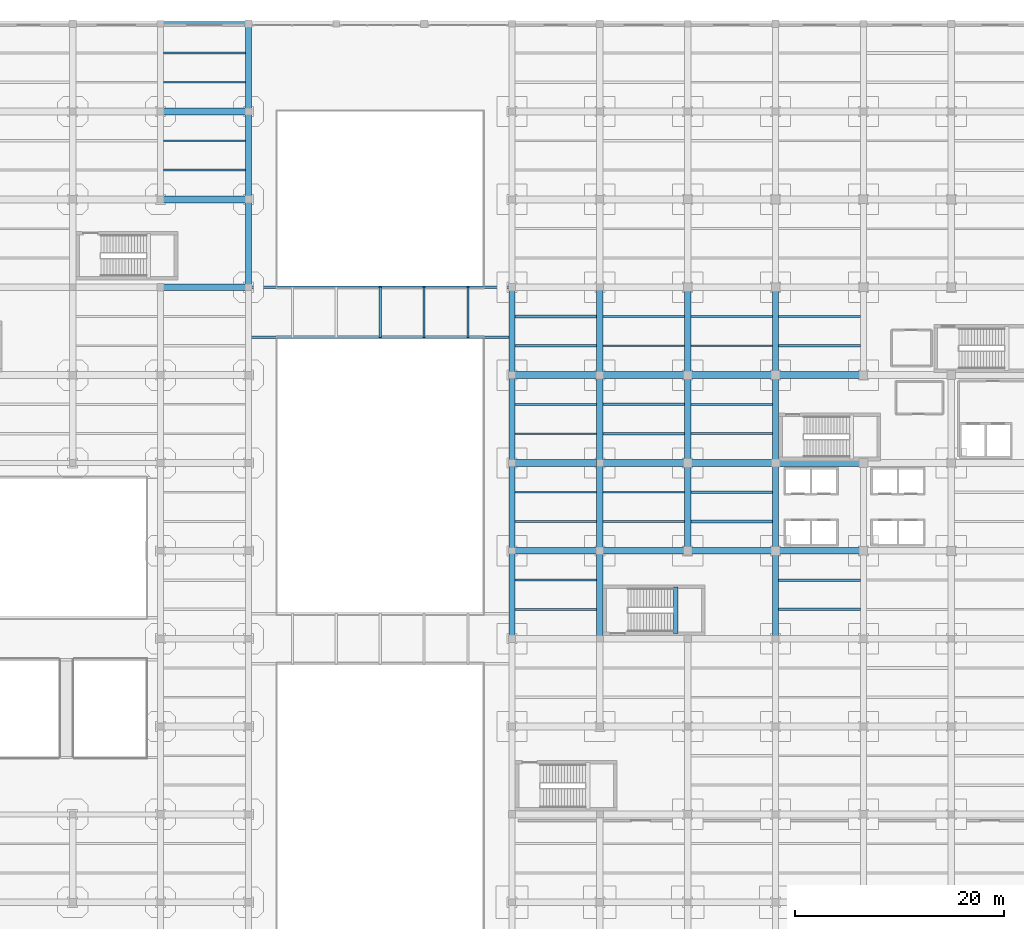
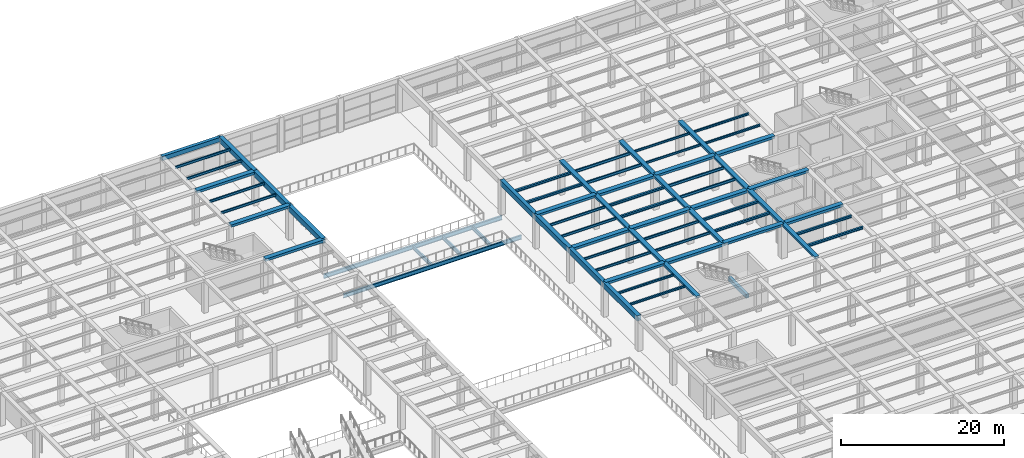
# One storey, part 25 of 65: 68 beams.
"""IFC4 building model written with IfcOpenShell, lengths in metres."""

from ifc_helpers import new_model, si_unit, direction, frame, origin, origin_2d, place, context, subcontext, project, spatial, rectangle, i_section, extrude, material, material_profile, profile_set, type_object, element, save


model = new_model("IFC4")

# Units and contexts
model_context = context("Model", 3, precision=1e-05, world=origin(), true_north=direction((0.0, 1.0)))
body_context = subcontext(model_context, "Body", "Model", "MODEL_VIEW")
ifc_project = project(units=[si_unit("LENGTHUNIT", "METRE"), si_unit("AREAUNIT", "SQUARE_METRE"), si_unit("VOLUMEUNIT", "CUBIC_METRE"), si_unit("PLANEANGLEUNIT", "RADIAN"), si_unit("MASSUNIT", "GRAM", prefix="KILO")], contexts=[model_context])

# Site, building, storey
site_placement = place(None, origin())
site = spatial("IfcSite", under=ifc_project, at=site_placement, CompositionType="ELEMENT")
building_placement = place(site_placement, origin())
building = spatial("IfcBuilding", under=site, at=building_placement, Name="Almacenes y Pasaje Nevantli", CompositionType="ELEMENT")
storey_placement = place(building_placement, frame((0.0, 0.0, 16.800048828125)))
storey = spatial("IfcBuildingStorey", under=building, at=storey_placement, Name="L04", CompositionType="ELEMENT", Elevation=16.800048828125)

# Beams
ifc_material_1 = material(Name="Concrete C35/45", Category="concrete")
ifc_material_profile_1 = material_profile(ifc_material_1, rectangle(XDim=0.39990234375, YDim=0.60009765625, at=origin_2d()), Name="RC-BM-400x600")
ifc_profile_set_1 = profile_set([ifc_material_profile_1], Name="Concrete C35/45")
beam_type_1 = type_object("IfcBeamType", Name="BM-RC-400x600", PredefinedType="SPANDREL", material=ifc_profile_set_1)
beam_1_placement = place(storey_placement, frame((108.050048828125, 59.300048828125, 2.199951171875), z_axis=(0.0, 1.0, 0.0), x_axis=(-1.0, 0.0, 0.0)))
element("IfcBeam", 1, at=beam_1_placement, inside=storey, type_object=beam_type_1, Name="L04 Stair ST-13 Half-Landing Support Beam", PredefinedType="SPANDREL", context=body_context, shape_type="SweptSolid", body=[
    extrude(rectangle(XDim=0.39990234375, YDim=0.60009765625, at=origin_2d()), origin(), (0.0, 0.0, 1.0), 4.449951171875),
])
ifc_material_2 = material(Name="Concrete C35/45", Category="concrete")
ifc_material_profile_2 = material_profile(ifc_material_2, rectangle(XDim=0.449951171875, YDim=0.64990234375, at=origin_2d()), Name="RC-BM-450x650")
ifc_profile_set_2 = profile_set([ifc_material_profile_2], Name="Concrete C35/45")
beam_type_2 = type_object("IfcBeamType", Name="BM-RC-450x650", PredefinedType="SPANDREL", material=ifc_profile_set_2)
beam_2_placement = place(storey_placement, frame((58.800048828125, 117.60009765625, 4.77490234375), z_axis=(1.0, 0.0, 0.0), x_axis=(0.0, 1.0, 0.0)))
element("IfcBeam", 2, at=beam_2_placement, inside=storey, type_object=beam_type_2, Name="L04 East-West Reinforced Concrete Beam #2980", PredefinedType="SPANDREL", context=body_context, shape_type="SweptSolid", body=[
    extrude(rectangle(XDim=0.449951171875, YDim=0.64990234375, at=origin_2d()), origin(), (0.0, 0.0, 1.0), 8.39990234375),
])
ifc_material_3 = material(Name="Concrete C35/45", Category="concrete")
ifc_material_profile_3 = material_profile(ifc_material_3, rectangle(XDim=0.550048828125, YDim=0.800048828125, at=origin_2d()), Name="RC-BM-550x800")
ifc_profile_set_3 = profile_set([ifc_material_profile_3], Name="Concrete C35/45")
beam_type_3 = type_object("IfcBeamType", Name="BM-RC-550x800", PredefinedType="BEAM", material=ifc_profile_set_3)
beam_3_placement = place(storey_placement, frame((67.199951171875, 92.39990234375, 4.699951171875), z_axis=(0.0, 1.0, 0.0), x_axis=(-1.0, 0.0, 0.0)))
element("IfcBeam", 3, at=beam_3_placement, inside=storey, type_object=beam_type_3, Name="L04 North-South Reinforced Concrete Beam #3092", PredefinedType="BEAM", context=body_context, shape_type="SweptSolid", body=[
    extrude(rectangle(XDim=0.550048828125, YDim=0.800048828125, at=origin_2d()), origin(), (0.0, 0.0, 1.0), 8.400146484375),
])
beam_4_placement = place(storey_placement, frame((67.199951171875, 100.800048828125, 4.699951171875), z_axis=(0.0, 1.0, 0.0), x_axis=(-1.0, 0.0, 0.0)))
element("IfcBeam", 4, at=beam_4_placement, inside=storey, type_object=beam_type_3, Name="L04 North-South Reinforced Concrete Beam #3093", PredefinedType="BEAM", context=body_context, shape_type="SweptSolid", body=[
    extrude(rectangle(XDim=0.550048828125, YDim=0.800048828125, at=origin_2d()), origin(), (0.0, 0.0, 1.0), 8.39990234375),
])
beam_5_placement = place(storey_placement, frame((67.199951171875, 109.199951171875, 4.699951171875), z_axis=(0.0, 1.0, 0.0), x_axis=(-1.0, 0.0, 0.0)))
element("IfcBeam", 5, at=beam_5_placement, inside=storey, type_object=beam_type_3, Name="L04 North-South Reinforced Concrete Beam #3094", PredefinedType="BEAM", context=body_context, shape_type="SweptSolid", body=[
    extrude(rectangle(XDim=0.550048828125, YDim=0.800048828125, at=origin_2d()), origin(), (0.0, 0.0, 1.0), 8.400146484375),
])
beam_6_placement = place(storey_placement, frame((92.39990234375, 58.800048828125, 4.699951171875), z_axis=(0.0, 1.0, 0.0), x_axis=(-1.0, 0.0, 0.0)))
element("IfcBeam", 6, at=beam_6_placement, inside=storey, type_object=beam_type_3, Name="L04 North-South Reinforced Concrete Beam #3102", PredefinedType="BEAM", context=body_context, shape_type="SweptSolid", body=[
    extrude(rectangle(XDim=0.550048828125, YDim=0.800048828125, at=origin_2d()), origin(), (0.0, 0.0, 1.0), 8.39990234375),
])
beam_7_placement = place(storey_placement, frame((92.39990234375, 67.199951171875, 4.699951171875), z_axis=(0.0, 1.0, 0.0), x_axis=(-1.0, 0.0, 0.0)))
element("IfcBeam", 7, at=beam_7_placement, inside=storey, type_object=beam_type_3, Name="L04 North-South Reinforced Concrete Beam #3103", PredefinedType="BEAM", context=body_context, shape_type="SweptSolid", body=[
    extrude(rectangle(XDim=0.550048828125, YDim=0.800048828125, at=origin_2d()), origin(), (0.0, 0.0, 1.0), 8.400146484375),
])
for number, where, z_axis, x_axis, name in (
    (8, (92.39990234375, 75.60009765625, 4.699951171875), (0.0, 1.0, 0.0), (-1.0, 0.0, 0.0), "L04 North-South Reinforced Concrete Beam #3104"),
    (9, (92.39990234375, 84.0, 4.699951171875), (0.0, 1.0, 0.0), (-1.0, 0.0, 0.0), "L04 North-South Reinforced Concrete Beam #3105"),
):
    element("IfcBeam", number, at=place(storey_placement, frame(where, z_axis=z_axis, x_axis=x_axis)), inside=storey, type_object=beam_type_3, Name=name, PredefinedType="BEAM", context=body_context, shape_type="SweptSolid", body=[
        extrude(rectangle(XDim=0.550048828125, YDim=0.800048828125, at=origin_2d()), origin(), (0.0, 0.0, 1.0), 8.39990234375),
    ])
ifc_material_4 = material(Name="Concrete C35/45", Category="concrete")
ifc_material_profile_4 = material_profile(ifc_material_4, rectangle(XDim=0.60009765625, YDim=0.320068359375, at=origin_2d()), Name="RC-BM-600x320")
ifc_profile_set_4 = profile_set([ifc_material_profile_4], Name="Concrete C35/45")
beam_type_4 = type_object("IfcBeamType", Name="BM-RC-600x320", PredefinedType="BEAM", material=ifc_profile_set_4)
for number, where, z_axis, x_axis, name in (
    (10, (100.800048828125, 58.800048828125, 4.93994140625), (0.0, 1.0, 0.0), (-1.0, 0.0, 0.0), "L04 North-South Reinforced Concrete Beam #3115"),
    (11, (100.800048828125, 75.60009765625, 4.93994140625), (0.0, 1.0, 0.0), (-1.0, 0.0, 0.0), "L04 North-South Reinforced Concrete Beam #3117"),
):
    element("IfcBeam", number, at=place(storey_placement, frame(where, z_axis=z_axis, x_axis=x_axis)), inside=storey, type_object=beam_type_4, Name=name, PredefinedType="BEAM", context=body_context, shape_type="SweptSolid", body=[
        extrude(rectangle(XDim=0.60009765625, YDim=0.320068359375, at=origin_2d()), origin(), (0.0, 0.0, 1.0), 8.39990234375),
    ])
beam_8_placement = place(storey_placement, frame((109.199951171875, 67.199951171875, 4.93994140625), z_axis=(0.0, 1.0, 0.0), x_axis=(-1.0, 0.0, 0.0)))
element("IfcBeam", 12, at=beam_8_placement, inside=storey, type_object=beam_type_4, Name="L04 North-South Reinforced Concrete Beam #3129", PredefinedType="BEAM", context=body_context, shape_type="SweptSolid", body=[
    extrude(rectangle(XDim=0.60009765625, YDim=0.320068359375, at=origin_2d()), origin(), (0.0, 0.0, 1.0), 8.400146484375),
])
for number, where, z_axis, x_axis, name in (
    (13, (109.199951171875, 84.0, 4.93994140625), (0.0, 1.0, 0.0), (-1.0, 0.0, 0.0), "L04 North-South Reinforced Concrete Beam #3131"),
    (14, (117.60009765625, 58.800048828125, 4.93994140625), (0.0, 1.0, 0.0), (-1.0, 0.0, 0.0), "L04 North-South Reinforced Concrete Beam #3142"),
    (15, (117.60009765625, 75.60009765625, 4.93994140625), (0.0, 1.0, 0.0), (-1.0, 0.0, 0.0), "L04 North-South Reinforced Concrete Beam #3144"),
):
    element("IfcBeam", number, at=place(storey_placement, frame(where, z_axis=z_axis, x_axis=x_axis)), inside=storey, type_object=beam_type_4, Name=name, PredefinedType="BEAM", context=body_context, shape_type="SweptSolid", body=[
        extrude(rectangle(XDim=0.60009765625, YDim=0.320068359375, at=origin_2d()), origin(), (0.0, 0.0, 1.0), 8.39990234375),
    ])
ifc_material_5 = material(Name="Concrete C35/45", Category="concrete")
ifc_material_profile_5 = material_profile(ifc_material_5, rectangle(XDim=0.60009765625, YDim=0.340087890625, at=origin_2d()), Name="RC-BM-600x340")
ifc_profile_set_5 = profile_set([ifc_material_profile_5], Name="Concrete C35/45")
beam_type_5 = type_object("IfcBeamType", Name="BM-RC-600x340", PredefinedType="BEAM", material=ifc_profile_set_5)
beam_9_placement = place(storey_placement, frame((100.800048828125, 67.199951171875, 4.929931640625), z_axis=(0.0, 1.0, 0.0), x_axis=(-1.0, 0.0, 0.0)))
element("IfcBeam", 16, at=beam_9_placement, inside=storey, type_object=beam_type_5, Name="L04 North-South Reinforced Concrete Beam #3116", PredefinedType="BEAM", context=body_context, shape_type="SweptSolid", body=[
    extrude(rectangle(XDim=0.60009765625, YDim=0.340087890625, at=origin_2d()), origin(), (0.0, 0.0, 1.0), 8.400146484375),
])
for number, where, z_axis, x_axis, name in (
    (17, (100.800048828125, 84.0, 4.929931640625), (0.0, 1.0, 0.0), (-1.0, 0.0, 0.0), "L04 North-South Reinforced Concrete Beam #3118"),
    (18, (109.199951171875, 75.60009765625, 4.929931640625), (0.0, 1.0, 0.0), (-1.0, 0.0, 0.0), "L04 North-South Reinforced Concrete Beam #3130"),
):
    element("IfcBeam", number, at=place(storey_placement, frame(where, z_axis=z_axis, x_axis=x_axis)), inside=storey, type_object=beam_type_5, Name=name, PredefinedType="BEAM", context=body_context, shape_type="SweptSolid", body=[
        extrude(rectangle(XDim=0.60009765625, YDim=0.340087890625, at=origin_2d()), origin(), (0.0, 0.0, 1.0), 8.39990234375),
    ])
beam_10_placement = place(storey_placement, frame((117.60009765625, 67.199951171875, 4.929931640625), z_axis=(0.0, 1.0, 0.0), x_axis=(-1.0, 0.0, 0.0)))
element("IfcBeam", 19, at=beam_10_placement, inside=storey, type_object=beam_type_5, Name="L04 North-South Reinforced Concrete Beam #3143", PredefinedType="BEAM", context=body_context, shape_type="SweptSolid", body=[
    extrude(rectangle(XDim=0.60009765625, YDim=0.340087890625, at=origin_2d()), origin(), (0.0, 0.0, 1.0), 8.400146484375),
])
beam_11_placement = place(storey_placement, frame((117.60009765625, 84.0, 4.929931640625), z_axis=(0.0, 1.0, 0.0), x_axis=(-1.0, 0.0, 0.0)))
element("IfcBeam", 20, at=beam_11_placement, inside=storey, type_object=beam_type_5, Name="L04 North-South Reinforced Concrete Beam #3145", PredefinedType="BEAM", context=body_context, shape_type="SweptSolid", body=[
    extrude(rectangle(XDim=0.60009765625, YDim=0.340087890625, at=origin_2d()), origin(), (0.0, 0.0, 1.0), 8.39990234375),
])
ifc_material_6 = material(Name="Concrete C35/45", Category="concrete")
ifc_material_profile_6 = material_profile(ifc_material_6, rectangle(XDim=0.64990234375, YDim=0.35009765625, at=origin_2d()), Name="RC-BM-650x350")
ifc_profile_set_6 = profile_set([ifc_material_profile_6], Name="Concrete C35/45")
beam_type_6 = type_object("IfcBeamType", Name="BM-RC-650x350", PredefinedType="BEAM", material=ifc_profile_set_6)
for number, where, z_axis, x_axis, name in (
    (21, (92.39990234375, 67.199951171875, 4.925048828125), (1.0, 0.0, 0.0), (0.0, 1.0, 0.0), "L04 East-West Reinforced Concrete Beam #2879"),
    (22, (109.199951171875, 67.199951171875, 4.925048828125), (1.0, 0.0, 0.0), (0.0, 1.0, 0.0), "L04 East-West Reinforced Concrete Beam #2881"),
):
    element("IfcBeam", number, at=place(storey_placement, frame(where, z_axis=z_axis, x_axis=x_axis)), inside=storey, type_object=beam_type_6, Name=name, PredefinedType="BEAM", context=body_context, shape_type="SweptSolid", body=[
        extrude(rectangle(XDim=0.64990234375, YDim=0.35009765625, at=origin_2d()), origin(), (0.0, 0.0, 1.0), 8.400146484375),
    ])
for number, where, z_axis, x_axis, name in (
    (23, (100.800048828125, 75.60009765625, 4.925048828125), (1.0, 0.0, 0.0), (0.0, 1.0, 0.0), "L04 East-West Reinforced Concrete Beam #2897"),
    (24, (117.60009765625, 75.60009765625, 4.925048828125), (1.0, 0.0, 0.0), (0.0, 1.0, 0.0), "L04 East-West Reinforced Concrete Beam #2899"),
):
    element("IfcBeam", number, at=place(storey_placement, frame(where, z_axis=z_axis, x_axis=x_axis)), inside=storey, type_object=beam_type_6, Name=name, PredefinedType="BEAM", context=body_context, shape_type="SweptSolid", body=[
        extrude(rectangle(XDim=0.64990234375, YDim=0.35009765625, at=origin_2d()), origin(), (0.0, 0.0, 1.0), 8.39990234375),
    ])
for number, where, z_axis, x_axis, name in (
    (25, (92.39990234375, 84.0, 4.925048828125), (1.0, 0.0, 0.0), (0.0, 1.0, 0.0), "L04 East-West Reinforced Concrete Beam #2913"),
    (26, (109.199951171875, 84.0, 4.925048828125), (1.0, 0.0, 0.0), (0.0, 1.0, 0.0), "L04 East-West Reinforced Concrete Beam #2915"),
):
    element("IfcBeam", number, at=place(storey_placement, frame(where, z_axis=z_axis, x_axis=x_axis)), inside=storey, type_object=beam_type_6, Name=name, PredefinedType="BEAM", context=body_context, shape_type="SweptSolid", body=[
        extrude(rectangle(XDim=0.64990234375, YDim=0.35009765625, at=origin_2d()), origin(), (0.0, 0.0, 1.0), 8.400146484375),
    ])
beam_12_placement = place(storey_placement, frame((58.800048828125, 100.800048828125, 4.925048828125), z_axis=(1.0, 0.0, 0.0), x_axis=(0.0, 1.0, 0.0)))
element("IfcBeam", 27, at=beam_12_placement, inside=storey, type_object=beam_type_6, Name="L04 East-West Reinforced Concrete Beam #2946", PredefinedType="BEAM", context=body_context, shape_type="SweptSolid", body=[
    extrude(rectangle(XDim=0.64990234375, YDim=0.35009765625, at=origin_2d()), origin(), (0.0, 0.0, 1.0), 8.39990234375),
])
ifc_material_7 = material(Name="Concrete C35/45", Category="concrete")
ifc_material_profile_7 = material_profile(ifc_material_7, rectangle(XDim=0.64990234375, YDim=0.3798828125, at=origin_2d()), Name="RC-BM-650x380")
ifc_profile_set_7 = profile_set([ifc_material_profile_7], Name="Concrete C35/45")
beam_type_7 = type_object("IfcBeamType", Name="BM-RC-650x380", PredefinedType="BEAM", material=ifc_profile_set_7)
for number, where, z_axis, x_axis, name in (
    (28, (100.800048828125, 67.199951171875, 4.909912109375), (1.0, 0.0, 0.0), (0.0, 1.0, 0.0), "L04 East-West Reinforced Concrete Beam #2880"),
    (29, (117.60009765625, 67.199951171875, 4.909912109375), (1.0, 0.0, 0.0), (0.0, 1.0, 0.0), "L04 East-West Reinforced Concrete Beam #2882"),
):
    element("IfcBeam", number, at=place(storey_placement, frame(where, z_axis=z_axis, x_axis=x_axis)), inside=storey, type_object=beam_type_7, Name=name, PredefinedType="BEAM", context=body_context, shape_type="SweptSolid", body=[
        extrude(rectangle(XDim=0.64990234375, YDim=0.3798828125, at=origin_2d()), origin(), (0.0, 0.0, 1.0), 8.39990234375),
    ])
for number, where, z_axis, x_axis, name in (
    (30, (92.39990234375, 75.60009765625, 4.909912109375), (1.0, 0.0, 0.0), (0.0, 1.0, 0.0), "L04 East-West Reinforced Concrete Beam #2896"),
    (31, (109.199951171875, 75.60009765625, 4.909912109375), (1.0, 0.0, 0.0), (0.0, 1.0, 0.0), "L04 East-West Reinforced Concrete Beam #2898"),
):
    element("IfcBeam", number, at=place(storey_placement, frame(where, z_axis=z_axis, x_axis=x_axis)), inside=storey, type_object=beam_type_7, Name=name, PredefinedType="BEAM", context=body_context, shape_type="SweptSolid", body=[
        extrude(rectangle(XDim=0.64990234375, YDim=0.3798828125, at=origin_2d()), origin(), (0.0, 0.0, 1.0), 8.400146484375),
    ])
for number, where, z_axis, x_axis, name in (
    (32, (100.800048828125, 84.0, 4.909912109375), (1.0, 0.0, 0.0), (0.0, 1.0, 0.0), "L04 East-West Reinforced Concrete Beam #2914"),
    (33, (117.60009765625, 84.0, 4.909912109375), (1.0, 0.0, 0.0), (0.0, 1.0, 0.0), "L04 East-West Reinforced Concrete Beam #2916"),
    (34, (58.800048828125, 92.39990234375, 4.909912109375), (1.0, 0.0, 0.0), (0.0, 1.0, 0.0), "L04 East-West Reinforced Concrete Beam #2929"),
    (35, (58.800048828125, 109.199951171875, 4.909912109375), (1.0, 0.0, 0.0), (0.0, 1.0, 0.0), "L04 East-West Reinforced Concrete Beam #2963"),
):
    element("IfcBeam", number, at=place(storey_placement, frame(where, z_axis=z_axis, x_axis=x_axis)), inside=storey, type_object=beam_type_7, Name=name, PredefinedType="BEAM", context=body_context, shape_type="SweptSolid", body=[
        extrude(rectangle(XDim=0.64990234375, YDim=0.3798828125, at=origin_2d()), origin(), (0.0, 0.0, 1.0), 8.39990234375),
    ])
ifc_material_8 = material(Name="Steel ASTM A992", Category="steel")
ifc_material_profile_8 = material_profile(ifc_material_8, i_section(OverallWidth=0.1650390625, OverallDepth=0.306884765625, WebThickness=0.006591796875, FlangeThickness=0.01025390625, at=origin_2d()), Name="IR 305x44.6")
ifc_profile_set_8 = profile_set([ifc_material_profile_8], Name="Steel ASTM A992")
beam_type_8 = type_object("IfcBeamType", Name="BM-STL-IR-305x44p6", PredefinedType="JOIST", material=ifc_profile_set_8)
for number, where, z_axis, x_axis, name in (
    (36, (109.5, 86.800048828125, 4.9384765625), (1.0, 0.0, 0.0), (0.0, 1.0, 0.0), "L04 Secondary Steel Floor Joist #1201"),
    (37, (109.5, 89.60009765625, 4.9384765625), (1.0, 0.0, 0.0), (0.0, 1.0, 0.0), "L04 Secondary Steel Floor Joist #1202"),
):
    element("IfcBeam", number, at=place(storey_placement, frame(where, z_axis=z_axis, x_axis=x_axis)), inside=storey, type_object=beam_type_8, Name=name, PredefinedType="JOIST", context=body_context, shape_type="SweptSolid", body=[
        extrude(i_section(OverallWidth=0.1650390625, OverallDepth=0.306884765625, WebThickness=0.006591796875, FlangeThickness=0.01025390625, at=origin_2d()), origin(), (0.0, 0.0, 1.0), 7.800048828125),
    ])
ifc_material_9 = material(Name="Steel ASTM A992", Category="steel")
ifc_material_profile_9 = material_profile(ifc_material_9, i_section(OverallWidth=0.202880859375, OverallDepth=0.304931640625, WebThickness=0.007568359375, FlangeThickness=0.01318359375, at=origin_2d()), Name="IR 305x59.5")
ifc_profile_set_9 = profile_set([ifc_material_profile_9], Name="Steel ASTM A992")
beam_type_9 = type_object("IfcBeamType", Name="BM-STL-IR-305x59p5", PredefinedType="JOIST", material=ifc_profile_set_9)
for number, where, z_axis, x_axis, name in (
    (38, (117.89990234375, 86.800048828125, 4.939453125), (1.0, 0.0, 0.0), (0.0, 1.0, 0.0), "L04 Secondary Steel Floor Joist #1225"),
    (39, (117.89990234375, 89.60009765625, 4.939453125), (1.0, 0.0, 0.0), (0.0, 1.0, 0.0), "L04 Secondary Steel Floor Joist #1226"),
):
    element("IfcBeam", number, at=place(storey_placement, frame(where, z_axis=z_axis, x_axis=x_axis)), inside=storey, type_object=beam_type_9, Name=name, PredefinedType="JOIST", context=body_context, shape_type="SweptSolid", body=[
        extrude(i_section(OverallWidth=0.202880859375, OverallDepth=0.304931640625, WebThickness=0.007568359375, FlangeThickness=0.01318359375, at=origin_2d()), origin(), (0.0, 0.0, 1.0), 7.800048828125),
    ])
ifc_material_10 = material(Name="Steel ASTM A992", Category="steel")
ifc_material_profile_10 = material_profile(ifc_material_10, i_section(OverallWidth=0.205078125, OverallDepth=0.31005859375, WebThickness=0.009521484375, FlangeThickness=0.016357421875, at=origin_2d()), Name="IR 305x74.4")
ifc_profile_set_10 = profile_set([ifc_material_profile_10], Name="Steel ASTM A992")
beam_type_10 = type_object("IfcBeamType", Name="BM-STL-IR-305x74p4", PredefinedType="JOIST", material=ifc_profile_set_10)
for number, where, z_axis, x_axis, name in (
    (40, (92.675048828125, 61.60009765625, 4.93701171875), (1.0, 0.0, 0.0), (0.0, 1.0, 0.0), "L04 Secondary Steel Floor Joist #1145"),
    (41, (92.675048828125, 64.39990234375, 4.93701171875), (1.0, 0.0, 0.0), (0.0, 1.0, 0.0), "L04 Secondary Steel Floor Joist #1146"),
):
    element("IfcBeam", number, at=place(storey_placement, frame(where, z_axis=z_axis, x_axis=x_axis)), inside=storey, type_object=beam_type_10, Name=name, PredefinedType="JOIST", context=body_context, shape_type="SweptSolid", body=[
        extrude(i_section(OverallWidth=0.205078125, OverallDepth=0.31005859375, WebThickness=0.009521484375, FlangeThickness=0.016357421875, at=origin_2d()), origin(), (0.0, 0.0, 1.0), 7.824951171875),
    ])
ifc_material_11 = material(Name="Steel ASTM A992", Category="steel")
ifc_material_profile_11 = material_profile(ifc_material_11, i_section(OverallWidth=0.173095703125, OverallDepth=0.35302734375, WebThickness=0.0078125, FlangeThickness=0.01318359375, at=origin_2d()), Name="IR 356x56.6")
ifc_profile_set_11 = profile_set([ifc_material_profile_11], Name="Steel ASTM A992")
beam_type_11 = type_object("IfcBeamType", Name="BM-STL-IR-356x56p6", PredefinedType="JOIST", material=ifc_profile_set_11)
for number, where, z_axis, x_axis, name in (
    (42, (59.10009765625, 103.60009765625, 4.91552734375), (1.0, 0.0, 0.0), (0.0, 1.0, 0.0), "L04 Secondary Steel Floor Joist #1129"),
    (43, (59.10009765625, 106.39990234375, 4.91552734375), (1.0, 0.0, 0.0), (0.0, 1.0, 0.0), "L04 Secondary Steel Floor Joist #1130"),
    (44, (92.675048828125, 70.0, 4.91552734375), (1.0, 0.0, 0.0), (0.0, 1.0, 0.0), "L04 Secondary Steel Floor Joist #1147"),
    (45, (92.675048828125, 72.800048828125, 4.91552734375), (1.0, 0.0, 0.0), (0.0, 1.0, 0.0), "L04 Secondary Steel Floor Joist #1148"),
):
    element("IfcBeam", number, at=place(storey_placement, frame(where, z_axis=z_axis, x_axis=x_axis)), inside=storey, type_object=beam_type_11, Name=name, PredefinedType="JOIST", context=body_context, shape_type="SweptSolid", body=[
        extrude(i_section(OverallWidth=0.173095703125, OverallDepth=0.35302734375, WebThickness=0.0078125, FlangeThickness=0.01318359375, at=origin_2d()), origin(), (0.0, 0.0, 1.0), 7.824951171875),
    ])
ifc_material_12 = material(Name="Steel ASTM A992", Category="steel")
ifc_material_profile_12 = material_profile(ifc_material_12, i_section(OverallWidth=0.173095703125, OverallDepth=0.364013671875, WebThickness=0.009033203125, FlangeThickness=0.015625, at=origin_2d()), Name="IR 356x67.0")
ifc_profile_set_12 = profile_set([ifc_material_profile_12], Name="Steel ASTM A992")
beam_type_12 = type_object("IfcBeamType", Name="BM-STL-IR-356x67p0", PredefinedType="JOIST", material=ifc_profile_set_12)
for number, where, z_axis, x_axis, name in (
    (46, (59.10009765625, 112.0, 4.909912109375), (1.0, 0.0, 0.0), (0.0, 1.0, 0.0), "L04 Secondary Steel Floor Joist #1131"),
    (47, (59.10009765625, 114.800048828125, 4.909912109375), (1.0, 0.0, 0.0), (0.0, 1.0, 0.0), "L04 Secondary Steel Floor Joist #1132"),
    (48, (92.675048828125, 78.39990234375, 4.909912109375), (1.0, 0.0, 0.0), (0.0, 1.0, 0.0), "L04 Secondary Steel Floor Joist #1149"),
    (49, (92.675048828125, 81.199951171875, 4.909912109375), (1.0, 0.0, 0.0), (0.0, 1.0, 0.0), "L04 Secondary Steel Floor Joist #1150"),
):
    element("IfcBeam", number, at=place(storey_placement, frame(where, z_axis=z_axis, x_axis=x_axis)), inside=storey, type_object=beam_type_12, Name=name, PredefinedType="JOIST", context=body_context, shape_type="SweptSolid", body=[
        extrude(i_section(OverallWidth=0.173095703125, OverallDepth=0.364013671875, WebThickness=0.009033203125, FlangeThickness=0.015625, at=origin_2d()), origin(), (0.0, 0.0, 1.0), 7.824951171875),
    ])
for number, where, z_axis, x_axis, name in (
    (50, (101.10009765625, 70.0, 4.909912109375), (1.0, 0.0, 0.0), (0.0, 1.0, 0.0), "L04 Secondary Steel Floor Joist #1171"),
    (51, (101.10009765625, 72.800048828125, 4.909912109375), (1.0, 0.0, 0.0), (0.0, 1.0, 0.0), "L04 Secondary Steel Floor Joist #1172"),
):
    element("IfcBeam", number, at=place(storey_placement, frame(where, z_axis=z_axis, x_axis=x_axis)), inside=storey, type_object=beam_type_12, Name=name, PredefinedType="JOIST", context=body_context, shape_type="SweptSolid", body=[
        extrude(i_section(OverallWidth=0.173095703125, OverallDepth=0.364013671875, WebThickness=0.009033203125, FlangeThickness=0.015625, at=origin_2d()), origin(), (0.0, 0.0, 1.0), 7.7998046875),
    ])
ifc_material_13 = material(Name="Steel ASTM A992", Category="steel")
ifc_material_profile_13 = material_profile(ifc_material_13, i_section(OverallWidth=0.25390625, OverallDepth=0.35595703125, WebThickness=0.009521484375, FlangeThickness=0.016357421875, at=origin_2d()), Name="IR 356x79.0")
ifc_profile_set_13 = profile_set([ifc_material_profile_13], Name="Steel ASTM A992")
beam_type_13 = type_object("IfcBeamType", Name="BM-STL-IR-356x79p0", PredefinedType="JOIST", material=ifc_profile_set_13)
for number, where, z_axis, x_axis, name in (
    (52, (92.675048828125, 86.800048828125, 4.9140625), (1.0, 0.0, 0.0), (0.0, 1.0, 0.0), "L04 Secondary Steel Floor Joist #1151"),
    (53, (92.675048828125, 89.60009765625, 4.9140625), (1.0, 0.0, 0.0), (0.0, 1.0, 0.0), "L04 Secondary Steel Floor Joist #1152"),
):
    element("IfcBeam", number, at=place(storey_placement, frame(where, z_axis=z_axis, x_axis=x_axis)), inside=storey, type_object=beam_type_13, Name=name, PredefinedType="JOIST", context=body_context, shape_type="SweptSolid", body=[
        extrude(i_section(OverallWidth=0.25390625, OverallDepth=0.35595703125, WebThickness=0.009521484375, FlangeThickness=0.016357421875, at=origin_2d()), origin(), (0.0, 0.0, 1.0), 7.824951171875),
    ])
for number, where, z_axis, x_axis, name in (
    (54, (101.10009765625, 78.39990234375, 4.9140625), (1.0, 0.0, 0.0), (0.0, 1.0, 0.0), "L04 Secondary Steel Floor Joist #1173"),
    (55, (101.10009765625, 81.199951171875, 4.9140625), (1.0, 0.0, 0.0), (0.0, 1.0, 0.0), "L04 Secondary Steel Floor Joist #1174"),
):
    element("IfcBeam", number, at=place(storey_placement, frame(where, z_axis=z_axis, x_axis=x_axis)), inside=storey, type_object=beam_type_13, Name=name, PredefinedType="JOIST", context=body_context, shape_type="SweptSolid", body=[
        extrude(i_section(OverallWidth=0.25390625, OverallDepth=0.35595703125, WebThickness=0.009521484375, FlangeThickness=0.016357421875, at=origin_2d()), origin(), (0.0, 0.0, 1.0), 7.7998046875),
    ])
for number, where, z_axis, x_axis, name in (
    (56, (109.5, 70.0, 4.9140625), (1.0, 0.0, 0.0), (0.0, 1.0, 0.0), "L04 Secondary Steel Floor Joist #1197"),
    (57, (109.5, 72.800048828125, 4.9140625), (1.0, 0.0, 0.0), (0.0, 1.0, 0.0), "L04 Secondary Steel Floor Joist #1198"),
    (58, (117.89990234375, 61.60009765625, 4.9140625), (1.0, 0.0, 0.0), (0.0, 1.0, 0.0), "L04 Secondary Steel Floor Joist #1223"),
    (59, (117.89990234375, 64.39990234375, 4.9140625), (1.0, 0.0, 0.0), (0.0, 1.0, 0.0), "L04 Secondary Steel Floor Joist #1224"),
):
    element("IfcBeam", number, at=place(storey_placement, frame(where, z_axis=z_axis, x_axis=x_axis)), inside=storey, type_object=beam_type_13, Name=name, PredefinedType="JOIST", context=body_context, shape_type="SweptSolid", body=[
        extrude(i_section(OverallWidth=0.25390625, OverallDepth=0.35595703125, WebThickness=0.009521484375, FlangeThickness=0.016357421875, at=origin_2d()), origin(), (0.0, 0.0, 1.0), 7.800048828125),
    ])
ifc_material_14 = material(Name="Steel ASTM A992", Category="steel")
ifc_material_profile_14 = material_profile(ifc_material_14, i_section(OverallWidth=0.178955078125, OverallDepth=0.406005859375, WebThickness=0.0087890625, FlangeThickness=0.014404296875, at=origin_2d()), Name="IR 406x67.0")
ifc_profile_set_14 = profile_set([ifc_material_profile_14], Name="Steel ASTM A992")
beam_type_14 = type_object("IfcBeamType", Name="BM-STL-IR-406x67p0", PredefinedType="JOIST", material=ifc_profile_set_14)
for number, where, z_axis, x_axis, name in (
    (60, (101.10009765625, 86.800048828125, 4.888916015625), (1.0, 0.0, 0.0), (0.0, 1.0, 0.0), "L04 Secondary Steel Floor Joist #1175"),
    (61, (101.10009765625, 89.60009765625, 4.888916015625), (1.0, 0.0, 0.0), (0.0, 1.0, 0.0), "L04 Secondary Steel Floor Joist #1176"),
):
    element("IfcBeam", number, at=place(storey_placement, frame(where, z_axis=z_axis, x_axis=x_axis)), inside=storey, type_object=beam_type_14, Name=name, PredefinedType="JOIST", context=body_context, shape_type="SweptSolid", body=[
        extrude(i_section(OverallWidth=0.178955078125, OverallDepth=0.406005859375, WebThickness=0.0087890625, FlangeThickness=0.014404296875, at=origin_2d()), origin(), (0.0, 0.0, 1.0), 7.7998046875),
    ])
for number, where, z_axis, x_axis, name in (
    (62, (109.5, 78.39990234375, 4.888916015625), (1.0, 0.0, 0.0), (0.0, 1.0, 0.0), "L04 Secondary Steel Floor Joist #1199"),
    (63, (109.5, 81.199951171875, 4.888916015625), (1.0, 0.0, 0.0), (0.0, 1.0, 0.0), "L04 Secondary Steel Floor Joist #1200"),
):
    element("IfcBeam", number, at=place(storey_placement, frame(where, z_axis=z_axis, x_axis=x_axis)), inside=storey, type_object=beam_type_14, Name=name, PredefinedType="JOIST", context=body_context, shape_type="SweptSolid", body=[
        extrude(i_section(OverallWidth=0.178955078125, OverallDepth=0.406005859375, WebThickness=0.0087890625, FlangeThickness=0.014404296875, at=origin_2d()), origin(), (0.0, 0.0, 1.0), 7.800048828125),
    ])
ifc_material_15 = material(Name="Steel ASTM A992", Category="steel")
ifc_material_profile_15 = material_profile(ifc_material_15, i_section(OverallWidth=0.2109375, OverallDepth=0.5390625, WebThickness=0.01171875, FlangeThickness=0.018798828125, at=origin_2d()), Name="IR 533x108.6")
ifc_profile_set_15 = profile_set([ifc_material_profile_15], Name="Steel ASTM A992")
beam_type_15 = type_object("IfcBeamType", Name="BM-STL-IR-533x108p6", PredefinedType="BEAM", material=ifc_profile_set_15)
for number, where, z_axis, x_axis, name in (
    (64, (79.800048828125, 87.60009765625, -0.57763671875), (0.0, 1.0, 0.0), (-1.0, 0.0, 0.0), "L04 Arcade Gallery Bridge Cross Beam #61"),
    (65, (84.0, 87.60009765625, -0.57763671875), (0.0, 1.0, 0.0), (-1.0, 0.0, 0.0), "L04 Arcade Gallery Bridge Cross Beam #62"),
    (66, (88.199951171875, 87.60009765625, -0.57763671875), (0.0, 1.0, 0.0), (-1.0, 0.0, 0.0), "L04 Arcade Gallery Bridge Cross Beam #63"),
):
    element("IfcBeam", number, at=place(storey_placement, frame(where, z_axis=z_axis, x_axis=x_axis)), inside=storey, type_object=beam_type_15, Name=name, PredefinedType="BEAM", context=body_context, shape_type="SweptSolid", body=[
        extrude(i_section(OverallWidth=0.2109375, OverallDepth=0.5390625, WebThickness=0.01171875, FlangeThickness=0.018798828125, at=origin_2d()), origin(), (0.0, 0.0, 1.0), 4.7998046875),
    ])
ifc_material_16 = material(Name="Steel ASTM A992", Category="steel")
ifc_material_profile_16 = material_profile(ifc_material_16, i_section(OverallWidth=0.22802734375, OverallDepth=0.60693359375, WebThickness=0.01123046875, FlangeThickness=0.017333984375, at=origin_2d()), Name="IR 610x113.0")
ifc_profile_set_16 = profile_set([ifc_material_profile_16], Name="Steel ASTM A992")
beam_type_16 = type_object("IfcBeamType", Name="BM-STL-IR-610x113p0", PredefinedType="BEAM", material=ifc_profile_set_16)
beam_13_placement = place(storey_placement, frame((67.199951171875, 87.60009765625, -0.611572265625), z_axis=(1.0, 0.0, 0.0), x_axis=(0.0, 1.0, 0.0)))
element("IfcBeam", 67, at=beam_13_placement, inside=storey, type_object=beam_type_16, Name="L04 Arcade Gallery Bridge Steel Girder BRG-ARC-3.1", PredefinedType="BEAM", context=body_context, shape_type="SweptSolid", body=[
    extrude(i_section(OverallWidth=0.22802734375, OverallDepth=0.60693359375, WebThickness=0.01123046875, FlangeThickness=0.017333984375, at=origin_2d()), origin(), (0.0, 0.0, 1.0), 25.199951171875),
])
ifc_material_17 = material(Name="Steel ASTM A992", Category="steel")
ifc_material_profile_17 = material_profile(ifc_material_17, i_section(OverallWidth=0.22998046875, OverallDepth=0.616943359375, WebThickness=0.01318359375, FlangeThickness=0.022216796875, at=origin_2d()), Name="IR 610x140.0")
ifc_profile_set_17 = profile_set([ifc_material_profile_17], Name="Steel ASTM A992")
beam_type_17 = type_object("IfcBeamType", Name="BM-STL-IR-610x140p0", PredefinedType="BEAM", material=ifc_profile_set_17)
beam_14_placement = place(storey_placement, frame((67.199951171875, 92.39990234375, -0.616455078125), z_axis=(1.0, 0.0, 0.0), x_axis=(0.0, 1.0, 0.0)))
element("IfcBeam", 68, at=beam_14_placement, inside=storey, type_object=beam_type_17, Name="L04 Arcade Gallery Bridge Steel Girder BRG-ARC-3.2", PredefinedType="BEAM", context=body_context, shape_type="SweptSolid", body=[
    extrude(i_section(OverallWidth=0.22998046875, OverallDepth=0.616943359375, WebThickness=0.01318359375, FlangeThickness=0.022216796875, at=origin_2d()), origin(), (0.0, 0.0, 1.0), 25.199951171875),
])

save(model, "model.ifc")
